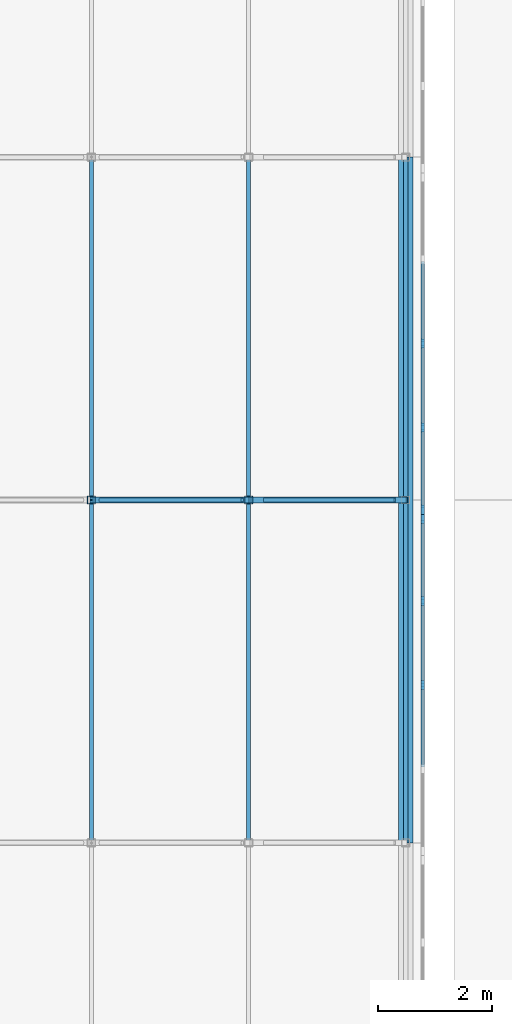
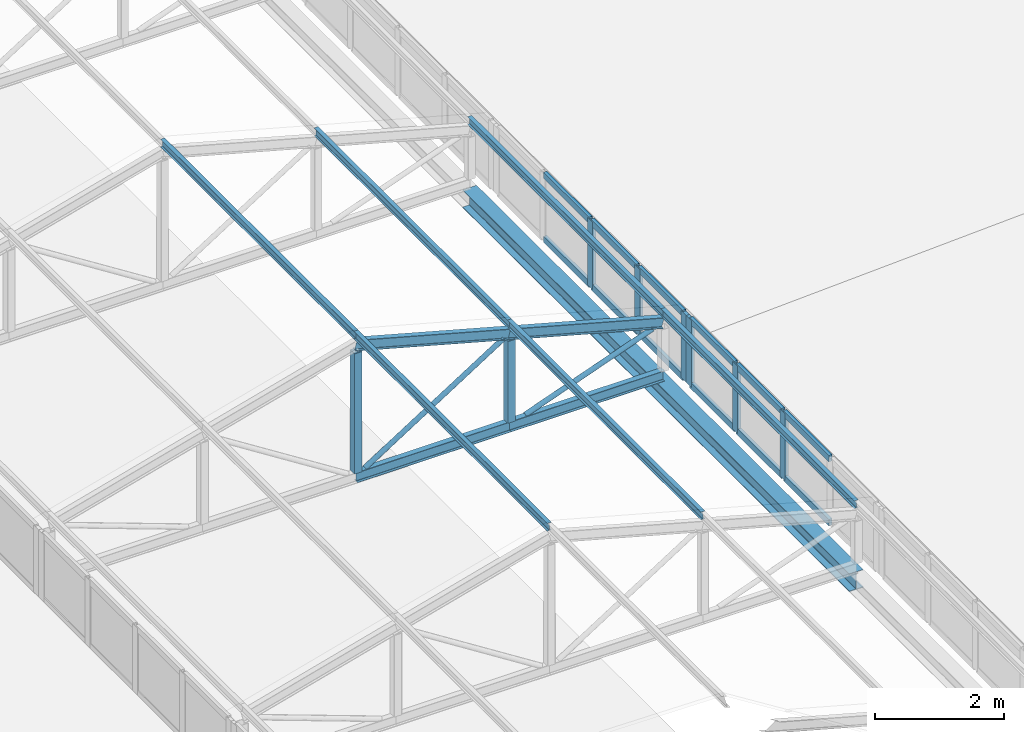
# One storey, part 50 of 94: 32 members, 1 beam, 2 elements without a shape of their own.
"""IFC4 building model written with IfcOpenShell, lengths in metres."""

from ifc_helpers import new_model, si_unit, direction, frame, origin, origin_2d, place, context, subcontext, project, spatial, rectangle, hollow_rectangle, hollow_circle, i_section, extrude, material, layer, layer_set, material_profile, profile_set, type_object, element, aggregate, save


model = new_model("IFC4")

# Units and contexts
model_context = context("Model", 3, precision=1e-05, world=origin(), true_north=direction((0.0, 1.0)))
body_context = subcontext(model_context, "Body", "Model", "MODEL_VIEW")
ifc_project = project(units=[si_unit("LENGTHUNIT", "METRE"), si_unit("AREAUNIT", "SQUARE_METRE"), si_unit("VOLUMEUNIT", "CUBIC_METRE"), si_unit("PLANEANGLEUNIT", "RADIAN"), si_unit("MASSUNIT", "GRAM", prefix="KILO")], contexts=[model_context])

# Site, building, storey
site_placement = place(None, origin())
site = spatial("IfcSite", under=ifc_project, at=site_placement, CompositionType="ELEMENT")
building_placement = place(site_placement, origin())
building = spatial("IfcBuilding", under=site, at=building_placement, Name="Lilac Gate Convention Centre", CompositionType="ELEMENT")
storey_placement = place(building_placement, frame((0.0, 0.0, 21.0)))
storey = spatial("IfcBuildingStorey", under=building, at=storey_placement, Name="L04", CompositionType="ELEMENT", Elevation=21.0)

# Curtain wall, members
ifc_material_1 = material(Name="Aluminium framed double glazing", Category="aluminium")
ifc_layer = layer(ifc_material_1, 0.199951171875)
ifc_layer_set = layer_set([ifc_layer], Name="Aluminium framed double glazing")
curtain_wall_type = type_object("IfcCurtainWallType", Name="Unitised curtain wall 1500", PredefinedType="NOTDEFINED", material=ifc_layer_set)
curtain_wall_1_placement = place(storey_placement, origin())
curtain_wall_1 = element("IfcCurtainWall", 1, at=curtain_wall_1_placement, inside=storey, type_object=curtain_wall_type, Name="Lantern clerestory E 26", PredefinedType="NOTDEFINED")
ifc_material_2 = material(Name="Aluminium alloy 6063", Category="aluminium")
ifc_material_profile_1 = material_profile(ifc_material_2, rectangle(XDim=0.06005859375, YDim=0.159912109375, at=origin_2d()), Name="Curtain wall mullion 60 x 160")
ifc_profile_set_1 = profile_set([ifc_material_profile_1], Name="Aluminium alloy 6063")
member_type_1 = type_object("IfcMemberType", Name="Curtain wall mullion 60 x 160", PredefinedType="MULLION", material=ifc_profile_set_1)
member_1_placement = place(storey_placement, frame((28.89990234375, 182.762451171875, 0.0), z_axis=(0.0, 0.0, 1.0), x_axis=(-1.0, 0.0, 0.0)))
member_1 = element("IfcMember", 2, at=member_1_placement, type_object=member_type_1, Name="CW mullion 3", PredefinedType="MULLION", context=body_context, shape_type="SweptSolid", body=[
    extrude(rectangle(XDim=0.06005859375, YDim=0.159912109375, at=origin_2d()), origin(), (0.0, 0.0, 1.0), 1.272216796875),
])
member_2_placement = place(storey_placement, frame((28.89990234375, 184.231201171875, 0.0), z_axis=(0.0, 0.0, 1.0), x_axis=(-1.0, 0.0, 0.0)))
member_2 = element("IfcMember", 3, at=member_2_placement, type_object=member_type_1, Name="CW mullion 4", PredefinedType="MULLION", context=body_context, shape_type="SweptSolid", body=[
    extrude(rectangle(XDim=0.06005859375, YDim=0.159912109375, at=origin_2d()), origin(), (0.0, 0.0, 1.0), 1.272216796875),
])
member_3_placement = place(storey_placement, frame((28.89990234375, 185.669921875, 0.0), z_axis=(0.0, 0.0, 1.0), x_axis=(-1.0, 0.0, 0.0)))
member_3 = element("IfcMember", 4, at=member_3_placement, type_object=member_type_1, Name="CW mullion 5", PredefinedType="MULLION", context=body_context, shape_type="SweptSolid", body=[
    extrude(rectangle(XDim=0.06005859375, YDim=0.159912109375, at=origin_2d()), origin(), (0.0, 0.0, 1.0), 1.272216796875),
])

curtain_wall_2_placement = place(storey_placement, origin())
curtain_wall_2 = element("IfcCurtainWall", 5, at=curtain_wall_2_placement, inside=storey, type_object=curtain_wall_type, Name="Lantern clerestory E 27", PredefinedType="NOTDEFINED")
member_4_placement = place(storey_placement, frame((28.89990234375, 185.830078125, 0.0), z_axis=(0.0, 0.0, 1.0), x_axis=(-1.0, 0.0, 0.0)))
member_4 = element("IfcMember", 6, at=member_4_placement, type_object=member_type_1, Name="CW mullion 1", PredefinedType="MULLION", context=body_context, shape_type="SweptSolid", body=[
    extrude(rectangle(XDim=0.06005859375, YDim=0.159912109375, at=origin_2d()), origin(), (0.0, 0.0, 1.0), 1.272216796875),
])
member_5_placement = place(storey_placement, frame((28.89990234375, 187.268798828125, 0.0), z_axis=(0.0, 0.0, 1.0), x_axis=(-1.0, 0.0, 0.0)))
member_5 = element("IfcMember", 7, at=member_5_placement, type_object=member_type_1, Name="CW mullion 2", PredefinedType="MULLION", context=body_context, shape_type="SweptSolid", body=[
    extrude(rectangle(XDim=0.06005859375, YDim=0.159912109375, at=origin_2d()), origin(), (0.0, 0.0, 1.0), 1.272216796875),
])
member_6_placement = place(storey_placement, frame((28.89990234375, 188.737548828125, 0.0), z_axis=(0.0, 0.0, 1.0), x_axis=(-1.0, 0.0, 0.0)))
member_6 = element("IfcMember", 8, at=member_6_placement, type_object=member_type_1, Name="CW mullion 3", PredefinedType="MULLION", context=body_context, shape_type="SweptSolid", body=[
    extrude(rectangle(XDim=0.06005859375, YDim=0.159912109375, at=origin_2d()), origin(), (0.0, 0.0, 1.0), 1.272216796875),
])

# Member
ifc_material_profile_2 = material_profile(ifc_material_2, rectangle(XDim=0.06005859375, YDim=0.1201171875, at=origin_2d()), Name="Curtain wall transom 60 x 120")
ifc_profile_set_2 = profile_set([ifc_material_profile_2], Name="Aluminium alloy 6063")
member_type_2 = type_object("IfcMemberType", Name="Curtain wall transom 60 x 120", PredefinedType="USERDEFINED", material=ifc_profile_set_2)
member_7_placement = place(storey_placement, frame((28.89990234375, 181.32373046875, 0.030029296875), z_axis=(0.0, 1.0, 0.0), x_axis=(-1.0, 0.0, 0.0)))
member_7 = element("IfcMember", 9, at=member_7_placement, type_object=member_type_2, Name="CW transom 2.1", ObjectType="TRANSOM", PredefinedType="USERDEFINED", context=body_context, shape_type="SweptSolid", body=[
    extrude(rectangle(XDim=0.06005859375, YDim=0.1201171875, at=origin_2d()), origin(), (0.0, 0.0, 1.0), 1.40869140625),
])

member_8_placement = place(storey_placement, frame((28.89990234375, 181.32373046875, 1.2421875), z_axis=(0.0, 1.0, 0.0), x_axis=(-1.0, 0.0, 0.0)))
member_8 = element("IfcMember", 10, at=member_8_placement, type_object=member_type_2, Name="CW transom 2.2", ObjectType="TRANSOM", PredefinedType="USERDEFINED", context=body_context, shape_type="SweptSolid", body=[
    extrude(rectangle(XDim=0.06005859375, YDim=0.1201171875, at=origin_2d()), origin(), (0.0, 0.0, 1.0), 1.40869140625),
])

member_9_placement = place(storey_placement, frame((28.89990234375, 182.79248046875, 0.030029296875), z_axis=(0.0, 1.0, 0.0), x_axis=(-1.0, 0.0, 0.0)))
member_9 = element("IfcMember", 11, at=member_9_placement, type_object=member_type_2, Name="CW transom 3.1", ObjectType="TRANSOM", PredefinedType="USERDEFINED", context=body_context, shape_type="SweptSolid", body=[
    extrude(rectangle(XDim=0.06005859375, YDim=0.1201171875, at=origin_2d()), origin(), (0.0, 0.0, 1.0), 1.40869140625),
])

member_10_placement = place(storey_placement, frame((28.89990234375, 182.79248046875, 1.2421875), z_axis=(0.0, 1.0, 0.0), x_axis=(-1.0, 0.0, 0.0)))
member_10 = element("IfcMember", 12, at=member_10_placement, type_object=member_type_2, Name="CW transom 3.2", ObjectType="TRANSOM", PredefinedType="USERDEFINED", context=body_context, shape_type="SweptSolid", body=[
    extrude(rectangle(XDim=0.06005859375, YDim=0.1201171875, at=origin_2d()), origin(), (0.0, 0.0, 1.0), 1.40869140625),
])

member_11_placement = place(storey_placement, frame((28.89990234375, 184.26123046875, 0.030029296875), z_axis=(0.0, 1.0, 0.0), x_axis=(-1.0, 0.0, 0.0)))
member_11 = element("IfcMember", 13, at=member_11_placement, type_object=member_type_2, Name="CW transom 4.1", ObjectType="TRANSOM", PredefinedType="USERDEFINED", context=body_context, shape_type="SweptSolid", body=[
    extrude(rectangle(XDim=0.06005859375, YDim=0.1201171875, at=origin_2d()), origin(), (0.0, 0.0, 1.0), 1.378662109375),
])

member_12_placement = place(storey_placement, frame((28.89990234375, 184.26123046875, 1.2421875), z_axis=(0.0, 1.0, 0.0), x_axis=(-1.0, 0.0, 0.0)))
member_12 = element("IfcMember", 14, at=member_12_placement, type_object=member_type_2, Name="CW transom 4.2", ObjectType="TRANSOM", PredefinedType="USERDEFINED", context=body_context, shape_type="SweptSolid", body=[
    extrude(rectangle(XDim=0.06005859375, YDim=0.1201171875, at=origin_2d()), origin(), (0.0, 0.0, 1.0), 1.378662109375),
])

aggregate(curtain_wall_1, [member_1, member_2, member_3, member_7, member_8, member_9, member_10, member_11, member_12])

member_13_placement = place(storey_placement, frame((28.89990234375, 185.860107421875, 0.030029296875), z_axis=(0.0, 1.0, 0.0), x_axis=(-1.0, 0.0, 0.0)))
member_13 = element("IfcMember", 15, at=member_13_placement, type_object=member_type_2, Name="CW transom 1.1", ObjectType="TRANSOM", PredefinedType="USERDEFINED", context=body_context, shape_type="SweptSolid", body=[
    extrude(rectangle(XDim=0.06005859375, YDim=0.1201171875, at=origin_2d()), origin(), (0.0, 0.0, 1.0), 1.378662109375),
])

member_14_placement = place(storey_placement, frame((28.89990234375, 185.860107421875, 1.2421875), z_axis=(0.0, 1.0, 0.0), x_axis=(-1.0, 0.0, 0.0)))
member_14 = element("IfcMember", 16, at=member_14_placement, type_object=member_type_2, Name="CW transom 1.2", ObjectType="TRANSOM", PredefinedType="USERDEFINED", context=body_context, shape_type="SweptSolid", body=[
    extrude(rectangle(XDim=0.06005859375, YDim=0.1201171875, at=origin_2d()), origin(), (0.0, 0.0, 1.0), 1.378662109375),
])

member_15_placement = place(storey_placement, frame((28.89990234375, 187.298828125, 0.030029296875), z_axis=(0.0, 1.0, 0.0), x_axis=(-1.0, 0.0, 0.0)))
member_15 = element("IfcMember", 17, at=member_15_placement, type_object=member_type_2, Name="CW transom 2.1", ObjectType="TRANSOM", PredefinedType="USERDEFINED", context=body_context, shape_type="SweptSolid", body=[
    extrude(rectangle(XDim=0.06005859375, YDim=0.1201171875, at=origin_2d()), origin(), (0.0, 0.0, 1.0), 1.40869140625),
])

member_16_placement = place(storey_placement, frame((28.89990234375, 187.298828125, 1.2421875), z_axis=(0.0, 1.0, 0.0), x_axis=(-1.0, 0.0, 0.0)))
member_16 = element("IfcMember", 18, at=member_16_placement, type_object=member_type_2, Name="CW transom 2.2", ObjectType="TRANSOM", PredefinedType="USERDEFINED", context=body_context, shape_type="SweptSolid", body=[
    extrude(rectangle(XDim=0.06005859375, YDim=0.1201171875, at=origin_2d()), origin(), (0.0, 0.0, 1.0), 1.40869140625),
])

member_17_placement = place(storey_placement, frame((28.89990234375, 188.767578125, 0.030029296875), z_axis=(0.0, 1.0, 0.0), x_axis=(-1.0, 0.0, 0.0)))
member_17 = element("IfcMember", 19, at=member_17_placement, type_object=member_type_2, Name="CW transom 3.1", ObjectType="TRANSOM", PredefinedType="USERDEFINED", context=body_context, shape_type="SweptSolid", body=[
    extrude(rectangle(XDim=0.06005859375, YDim=0.1201171875, at=origin_2d()), origin(), (0.0, 0.0, 1.0), 1.40869140625),
])

member_18_placement = place(storey_placement, frame((28.89990234375, 188.767578125, 1.2421875), z_axis=(0.0, 1.0, 0.0), x_axis=(-1.0, 0.0, 0.0)))
member_18 = element("IfcMember", 20, at=member_18_placement, type_object=member_type_2, Name="CW transom 3.2", ObjectType="TRANSOM", PredefinedType="USERDEFINED", context=body_context, shape_type="SweptSolid", body=[
    extrude(rectangle(XDim=0.06005859375, YDim=0.1201171875, at=origin_2d()), origin(), (0.0, 0.0, 1.0), 1.40869140625),
])

aggregate(curtain_wall_2, [member_4, member_5, member_6, member_13, member_14, member_15, member_16, member_17, member_18])

# Members
ifc_material_3 = material(Name="Steel Q355B", Category="steel")
ifc_material_profile_3 = material_profile(ifc_material_3, i_section(OverallWidth=0.10009765625, OverallDepth=0.199951171875, WebThickness=0.005615234375, FlangeThickness=0.008056640625, FilletRadius=0.008056640625, at=origin_2d()), Name="HN200x100x5.5x8")
ifc_profile_set_3 = profile_set([ifc_material_profile_3], Name="Steel Q355B")
member_type_3 = type_object("IfcMemberType", Name="Lantern bottom chord HN200x100x5.5x8", PredefinedType="CHORD", material=ifc_profile_set_3)
for number, where, z_axis, x_axis, name in (
    (21, (23.10009765625, 186.0, 0.10009765625), (1.0, 0.0, 0.0), (0.0, 1.0, 0.0), "LB1 lantern truss 27 bottom chord 3"),
    (22, (25.85009765625, 186.0, 0.10009765625), (1.0, 0.0, 0.0), (0.0, 1.0, 0.0), "LB1 lantern truss 27 bottom chord 4"),
):
    element("IfcMember", number, at=place(storey_placement, frame(where, z_axis=z_axis, x_axis=x_axis)), inside=storey, type_object=member_type_3, Name=name, PredefinedType="CHORD", context=body_context, shape_type="SweptSolid", body=[
        extrude(i_section(OverallWidth=0.10009765625, OverallDepth=0.199951171875, WebThickness=0.005615234375, FlangeThickness=0.008056640625, FilletRadius=0.008056640625, at=origin_2d()), origin(), (0.0, 0.0, 1.0), 2.75),
    ])
ifc_material_profile_4 = material_profile(ifc_material_3, hollow_circle(Radius=0.04443359375, WallThickness=0.0048828125, at=origin_2d()), Name="CHS88.9x5")
ifc_profile_set_4 = profile_set([ifc_material_profile_4], Name="Steel Q355B")
member_type_4 = type_object("IfcMemberType", Name="Lantern diagonal CHS88.9x5", PredefinedType="BRACE", material=ifc_profile_set_4)
member_19_placement = place(storey_placement, frame((25.74169921875, 186.0, 1.781005859375), z_axis=(-0.843671728148, 0.0, -0.536859399773), x_axis=(0.0, -1.0, 0.0)))
element("IfcMember", 23, at=member_19_placement, inside=storey, type_object=member_type_4, Name="LW1 lantern truss 27 diagonal 3", PredefinedType="BRACE", context=body_context, shape_type="SweptSolid", body=[
    extrude(hollow_circle(Radius=0.04443359375, WallThickness=0.0048828125, at=origin_2d()), origin(), (0.0, 0.0, 1.0), 2.945068359375),
])
member_20_placement = place(storey_placement, frame((28.410400390625, 186.0, 1.031005859375), z_axis=(-0.939793423488, 0.0, -0.341743063087), x_axis=(0.0, -1.0, 0.0)))
element("IfcMember", 24, at=member_20_placement, inside=storey, type_object=member_type_4, Name="LW1 lantern truss 27 diagonal 4", PredefinedType="BRACE", context=body_context, shape_type="SweptSolid", body=[
    extrude(hollow_circle(Radius=0.04443359375, WallThickness=0.0048828125, at=origin_2d()), origin(), (0.0, 0.0, 1.0), 2.431884765625),
])
ifc_material_profile_5 = material_profile(ifc_material_3, hollow_rectangle(XDim=0.139892578125, YDim=0.139892578125, WallThickness=0.0048828125, InnerFilletRadius=0.0048828125, OuterFilletRadius=0.010009765625, at=origin_2d()), Name="SHS140x140x5")
ifc_profile_set_5 = profile_set([ifc_material_profile_5], Name="Steel Q355B")
member_type_5 = type_object("IfcMemberType", Name="Lantern post SHS140x140x5", PredefinedType="STRUT", material=ifc_profile_set_5)
member_21_placement = place(storey_placement, frame((23.10009765625, 186.0, 0.199951171875), z_axis=(0.0, 0.0, 1.0), x_axis=(1.0, 0.0, 0.0)))
element("IfcMember", 25, at=member_21_placement, inside=storey, type_object=member_type_5, Name="LV1 lantern truss 27 post 3", PredefinedType="STRUT", context=body_context, shape_type="SweptSolid", body=[
    extrude(hollow_rectangle(XDim=0.139892578125, YDim=0.139892578125, WallThickness=0.0048828125, InnerFilletRadius=0.0048828125, OuterFilletRadius=0.010009765625, at=origin_2d()), origin(), (0.0, 0.0, 1.0), 2.277099609375),
])
member_22_placement = place(storey_placement, frame((25.85009765625, 186.0, 0.199951171875), z_axis=(0.0, 0.0, 1.0), x_axis=(1.0, 0.0, 0.0)))
element("IfcMember", 26, at=member_22_placement, inside=storey, type_object=member_type_5, Name="LV1 lantern truss 27 post 4", PredefinedType="STRUT", context=body_context, shape_type="SweptSolid", body=[
    extrude(hollow_rectangle(XDim=0.139892578125, YDim=0.139892578125, WallThickness=0.0048828125, InnerFilletRadius=0.0048828125, OuterFilletRadius=0.010009765625, at=origin_2d()), origin(), (0.0, 0.0, 1.0), 1.546142578125),
])
ifc_material_profile_6 = material_profile(ifc_material_3, i_section(OverallWidth=0.074951171875, OverallDepth=0.14990234375, WebThickness=0.0048828125, FlangeThickness=0.007080078125, FilletRadius=0.008056640625, at=origin_2d()), Name="HN150x75x5x7")
ifc_profile_set_6 = profile_set([ifc_material_profile_6], Name="Steel Q355B")
member_type_6 = type_object("IfcMemberType", Name="Lantern purlin HN150x75x5x7", PredefinedType="PURLIN", material=ifc_profile_set_6)
for number, where, z_axis, x_axis, name in (
    (27, (23.10009765625, 180.0, 2.779052734375), (0.0, 1.0, 0.0), (-1.0, 0.0, 0.0), "LP1 lantern purlin bay 26 line 3"),
    (28, (23.10009765625, 186.0, 2.779052734375), (0.0, 1.0, 0.0), (-1.0, 0.0, 0.0), "LP1 lantern purlin bay 27 line 3"),
    (29, (25.85009765625, 180.0, 2.029052734375), (0.0, 1.0, 0.0), (-1.0, 0.0, 0.0), "LP1 lantern purlin bay 26 line 4"),
    (30, (25.85009765625, 186.0, 2.029052734375), (0.0, 1.0, 0.0), (-1.0, 0.0, 0.0), "LP1 lantern purlin bay 27 line 4"),
    (31, (28.60009765625, 180.0, 1.279052734375), (0.0, 1.0, 0.0), (-1.0, 0.0, 0.0), "LP1 lantern purlin bay 26 line 5"),
    (32, (28.60009765625, 186.0, 1.279052734375), (0.0, 1.0, 0.0), (-1.0, 0.0, 0.0), "LP1 lantern purlin bay 27 line 5"),
):
    element("IfcMember", number, at=place(storey_placement, frame(where, z_axis=z_axis, x_axis=x_axis)), inside=storey, type_object=member_type_6, Name=name, PredefinedType="PURLIN", context=body_context, shape_type="SweptSolid", body=[
        extrude(i_section(OverallWidth=0.074951171875, OverallDepth=0.14990234375, WebThickness=0.0048828125, FlangeThickness=0.007080078125, FilletRadius=0.008056640625, at=origin_2d()), origin(), (0.0, 0.0, 1.0), 6.0),
    ])
ifc_material_profile_7 = material_profile(ifc_material_3, i_section(OverallWidth=0.10009765625, OverallDepth=0.199951171875, WebThickness=0.005615234375, FlangeThickness=0.008056640625, FilletRadius=0.008056640625, at=origin_2d()), Name="HN200x100x5.5x8")
ifc_profile_set_7 = profile_set([ifc_material_profile_7], Name="Steel Q355B")
member_type_7 = type_object("IfcMemberType", Name="Lantern top chord HN200x100x5.5x8", PredefinedType="CHORD", material=ifc_profile_set_7)
for number, where, z_axis, x_axis, name in (
    (33, (23.10009765625, 186.0, 2.60009765625), (0.964763821238, 0.0, -0.263117405792), (0.0, 1.0, 0.0), "LT1 lantern truss 27 top chord 3"),
    (34, (25.85009765625, 186.0, 1.85009765625), (0.964763821238, 0.0, -0.263117405792), (0.0, 1.0, 0.0), "LT1 lantern truss 27 top chord 4"),
):
    element("IfcMember", number, at=place(storey_placement, frame(where, z_axis=z_axis, x_axis=x_axis)), inside=storey, type_object=member_type_7, Name=name, PredefinedType="CHORD", context=body_context, shape_type="SweptSolid", body=[
        extrude(i_section(OverallWidth=0.10009765625, OverallDepth=0.199951171875, WebThickness=0.005615234375, FlangeThickness=0.008056640625, FilletRadius=0.008056640625, at=origin_2d()), origin(), (0.0, 0.0, 1.0), 2.850341796875),
    ])

# Beam
ifc_material_profile_8 = material_profile(ifc_material_3, i_section(OverallWidth=0.25, OverallDepth=0.340087890625, WebThickness=0.009033203125, FlangeThickness=0.013916015625, FilletRadius=0.012939453125, at=origin_2d()), Name="HM340x250x9x14")
ifc_profile_set_8 = profile_set([ifc_material_profile_8], Name="Steel Q355B")
beam_type = type_object("IfcBeamType", Name="Steel edge beam HM340x250x9x14", PredefinedType="BEAM", material=ifc_profile_set_8)
beam_placement = place(storey_placement, frame((28.60009765625, 180.0, -0.169921875), z_axis=(0.0, 1.0, 0.0), x_axis=(-1.0, 0.0, 0.0)))
element("IfcBeam", 35, at=beam_placement, inside=storey, type_object=beam_type, Name="LE1 lantern edge beam 14", PredefinedType="BEAM", context=body_context, shape_type="SweptSolid", body=[
    extrude(i_section(OverallWidth=0.25, OverallDepth=0.340087890625, WebThickness=0.009033203125, FlangeThickness=0.013916015625, FilletRadius=0.012939453125, at=origin_2d()), origin(), (0.0, 0.0, 1.0), 12.0),
])

save(model, "model.ifc")
